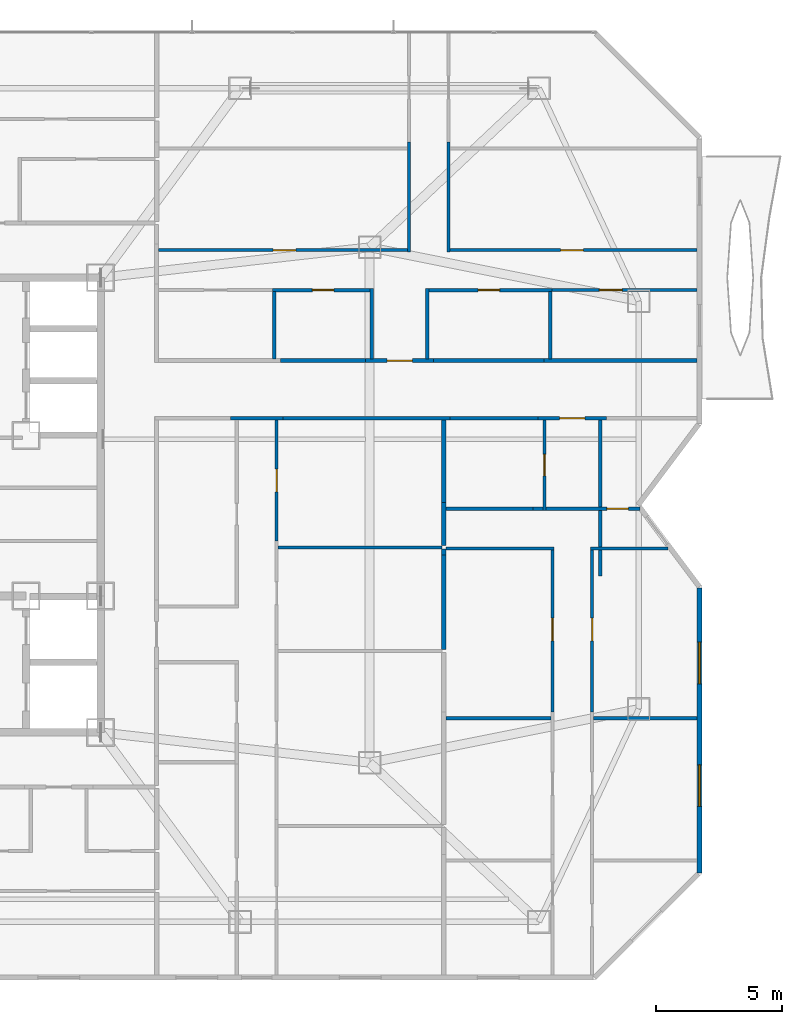
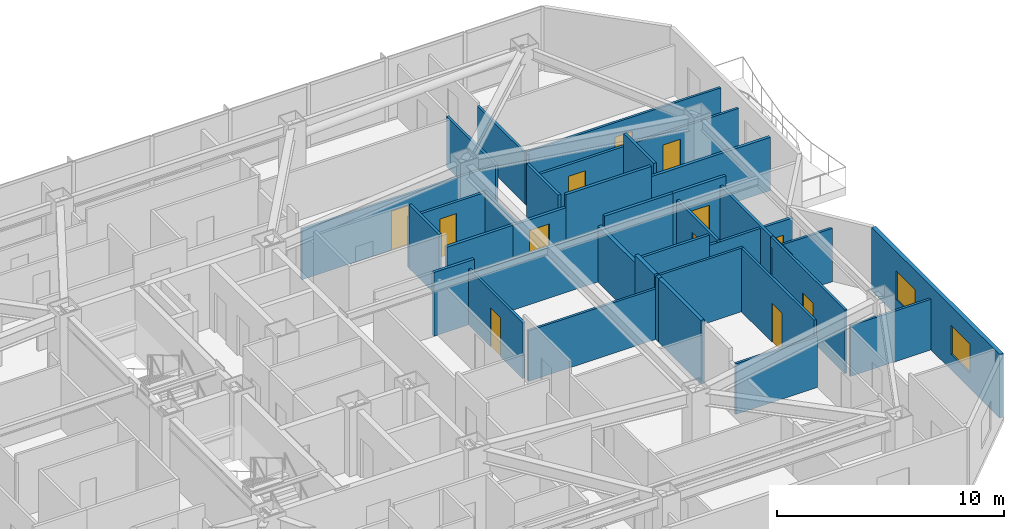
# One storey, part 18 of 21: 36 walls, 12 doors, 2 windows, 14 openings.
"""IFC4 building model written with IfcOpenShell, lengths in metres."""

from ifc_helpers import new_model, si_unit, direction, frame, frame_2d, origin, place, context, subcontext, project, spatial, rectangle, extrude, material, layer, layer_set, type_object, element, fill, save


model = new_model("IFC4")

# Units and contexts
model_context = context("Model", 3, precision=1e-05, world=origin(), true_north=direction((0.0, 1.0)))
body_context = subcontext(model_context, "Body", "Model", "MODEL_VIEW")
ifc_project = project(units=[si_unit("LENGTHUNIT", "METRE"), si_unit("AREAUNIT", "SQUARE_METRE"), si_unit("VOLUMEUNIT", "CUBIC_METRE"), si_unit("PLANEANGLEUNIT", "RADIAN"), si_unit("MASSUNIT", "GRAM", prefix="KILO")], contexts=[model_context])

# Site, building, storey
site_placement = place(None, origin())
site = spatial("IfcSite", under=ifc_project, at=site_placement, CompositionType="ELEMENT")
building_placement = place(site_placement, origin())
building = spatial("IfcBuilding", under=site, at=building_placement, Name="Khamvora Tower", CompositionType="ELEMENT")
storey_placement = place(building_placement, frame((0.0, 0.0, 159.550048828125)))
storey = spatial("IfcBuildingStorey", under=building, at=storey_placement, Name="L40", CompositionType="ELEMENT", Elevation=159.550048828125)

# Walls
ifc_material_1 = material(Name="Fire-Rated Drywall and Steel Stud", Category="steel")
ifc_layer_1 = layer(ifc_material_1, 0.14990234375)
ifc_layer_set_1 = layer_set([ifc_layer_1], Name="Fire-Rated Drywall and Steel Stud")
wall_type_1 = type_object("IfcWallType", Name="WAL-CORR-150", PredefinedType="STANDARD", material=ifc_layer_set_1)
wall_1_placement = place(storey_placement, frame((46.616943359375, 31.43505859375, 0.0), z_axis=(0.0, 0.0, 1.0), x_axis=(-1.0, 0.0, 0.0)))
element("IfcWall", 1, at=wall_1_placement, inside=storey, type_object=wall_type_1, Name="L40 interior partition wall 029", PredefinedType="STANDARD", context=body_context, shape_type="SweptSolid", body=[
    extrude(rectangle(XDim=2.077880859375, YDim=0.14990234375, at=frame_2d((1.0390625, 0.0))), origin(), (0.0, 0.0, 1.0), 3.429931640625),
])
wall_2_placement = place(storey_placement, frame((53.23388671875, 31.43505859375, 0.0), z_axis=(0.0, 0.0, 1.0), x_axis=(-1.0, 0.0, 0.0)))
element("IfcWall", 2, at=wall_2_placement, inside=storey, type_object=wall_type_1, Name="L40 interior partition wall 034", PredefinedType="STANDARD", context=body_context, shape_type="SweptSolid", body=[
    extrude(rectangle(XDim=6.616943359375, YDim=0.14990234375, at=frame_2d((3.30859375, 0.0))), origin(), (0.0, 0.0, 1.0), 2.724853515625),
])

# Wall, opening, door
wall_3_placement = place(storey_placement, frame((59.4189453125, 31.43505859375, 0.0), z_axis=(0.0, 0.0, 1.0), x_axis=(-1.0, 0.0, 0.0)))
wall_3 = element("IfcWall", 3, at=wall_3_placement, inside=storey, type_object=wall_type_1, Name="L40 interior partition wall 035", PredefinedType="STANDARD", context=body_context, shape_type="SweptSolid", body=[
    extrude(rectangle(XDim=2.697998046875, YDim=0.14990234375, at=frame_2d((1.34912109375, 0.0))), origin(), (0.0, 0.0, 1.0), 3.429931640625),
])
opening_1_placement = place(wall_3_placement, frame((0.84912109375, 0.0, 0.0)))
opening_1 = element("IfcOpeningElement", 4, at=opening_1_placement, cuts=wall_3, Name="Opening D-U1", PredefinedType="OPENING", context=body_context, shape_type="SweptSolid", body=[
    extrude(rectangle(XDim=1.0, YDim=2.14990234375, at=frame_2d((0.5, 1.074951171875))), frame((0.0, 0.0849609375, 0.0), z_axis=(0.0, -1.0, 0.0), x_axis=(1.0, 0.0, 0.0)), (0.0, 0.0, 1.0), 0.169921875),
])
ifc_material_2 = material(Name="Powder-Coated Steel and Hardwood Leaf", Category="steel")
door_type_1 = type_object("IfcDoorType", Name="DOR-UNIT-1000", OperationType="NOTDEFINED", PredefinedType="DOOR", material=ifc_material_2)
door_1_placement = place(opening_1_placement, origin())
door_1 = element("IfcDoor", 5, at=door_1_placement, inside=storey, type_object=door_type_1, Name="L40 interior door COR-40EBH", OperationType="SINGLE_SWING_LEFT", OverallHeight=2.14990234375, OverallWidth=1.0, PredefinedType="DOOR", context=body_context, shape_type="SweptSolid", body=[
    extrude(rectangle(XDim=1.0, YDim=2.14990234375, at=frame_2d((0.5, 1.074951171875))), frame((0.0, 0.02490234375, 0.0), z_axis=(0.0, -1.0, 0.0), x_axis=(1.0, 0.0, 0.0)), (0.0, 0.0, 1.0), 0.050048828125),
])
fill(opening_1, door_1)

# Walls
wall_4_placement = place(storey_placement, frame((56.720947265625, 31.43505859375, 0.0), z_axis=(0.0, 0.0, 1.0), x_axis=(-1.0, 0.0, 0.0)))
element("IfcWall", 6, at=wall_4_placement, inside=storey, type_object=wall_type_1, Name="L40 interior partition wall 037", PredefinedType="STANDARD", context=body_context, shape_type="SweptSolid", body=[
    extrude(rectangle(XDim=3.487060546875, YDim=0.14990234375, at=frame_2d((1.74365234375, 0.0))), origin(), (0.0, 0.0, 1.0), 3.429931640625),
])
wall_5_placement = place(storey_placement, frame((56.950927734375, 33.715087890625, 0.0), z_axis=(0.0, 0.0, 1.0), x_axis=(1.0, 0.0, 0.0)))
element("IfcWall", 7, at=wall_5_placement, inside=storey, type_object=wall_type_1, Name="L40 interior partition wall 040", PredefinedType="STANDARD", context=body_context, shape_type="SweptSolid", body=[
    extrude(rectangle(XDim=6.05712890625, YDim=0.14990234375, at=frame_2d((3.028564453125, 0.0))), origin(), (0.0, 0.0, 1.0), 2.8759765625),
])

# Wall, opening, door
wall_6_placement = place(storey_placement, frame((49.885986328125, 33.715087890625, 0.0), z_axis=(0.0, 0.0, 1.0), x_axis=(1.0, 0.0, 0.0)))
wall_6 = element("IfcWall", 8, at=wall_6_placement, inside=storey, type_object=wall_type_1, Name="L40 interior partition wall 042", PredefinedType="STANDARD", context=body_context, shape_type="SweptSolid", body=[
    extrude(rectangle(XDim=2.697998046875, YDim=0.14990234375, at=frame_2d((1.34912109375, 0.0))), origin(), (0.0, 0.0, 1.0), 2.724853515625),
])
opening_2_placement = place(wall_6_placement, frame((0.84912109375, 0.0, 0.0)))
opening_2 = element("IfcOpeningElement", 9, at=opening_2_placement, cuts=wall_6, Name="Opening D-U1", PredefinedType="OPENING", context=body_context, shape_type="SweptSolid", body=[
    extrude(rectangle(XDim=1.0, YDim=2.14990234375, at=frame_2d((0.5, 1.074951171875))), frame((0.0, 0.0849609375, 0.0), z_axis=(0.0, -1.0, 0.0), x_axis=(1.0, 0.0, 0.0)), (0.0, 0.0, 1.0), 0.169921875),
])
door_2_placement = place(opening_2_placement, origin())
door_2 = element("IfcDoor", 10, at=door_2_placement, inside=storey, type_object=door_type_1, Name="L40 interior door COR-40ECH", OperationType="SINGLE_SWING_RIGHT", OverallHeight=2.14990234375, OverallWidth=1.0, PredefinedType="DOOR", context=body_context, shape_type="SweptSolid", body=[
    extrude(rectangle(XDim=1.0, YDim=2.14990234375, at=frame_2d((0.5, 1.074951171875))), frame((0.0, 0.02490234375, 0.0), z_axis=(0.0, -1.0, 0.0), x_axis=(1.0, 0.0, 0.0)), (0.0, 0.0, 1.0), 0.050048828125),
])
fill(opening_2, door_2)

# Walls
wall_7_placement = place(storey_placement, frame((46.51904296875, 33.715087890625, 0.0), z_axis=(0.0, 0.0, 1.0), x_axis=(1.0, 0.0, 0.0)))
element("IfcWall", 11, at=wall_7_placement, inside=storey, type_object=wall_type_1, Name="L40 interior partition wall 043", PredefinedType="STANDARD", context=body_context, shape_type="SweptSolid", body=[
    extrude(rectangle(XDim=3.366943359375, YDim=0.14990234375, at=frame_2d((1.68359375, 0.0))), origin(), (0.0, 0.0, 1.0), 2.724853515625),
])
wall_8_placement = place(storey_placement, frame((52.583984375, 33.715087890625, 0.0), z_axis=(0.0, 0.0, 1.0), x_axis=(1.0, 0.0, 0.0)))
element("IfcWall", 12, at=wall_8_placement, inside=storey, type_object=wall_type_1, Name="L40 interior partition wall 044", PredefinedType="STANDARD", context=body_context, shape_type="SweptSolid", body=[
    extrude(rectangle(XDim=4.366943359375, YDim=0.14990234375, at=frame_2d((2.18359375, 0.0))), origin(), (0.0, 0.0, 1.0), 3.429931640625),
])
ifc_material_3 = material(Name="Acoustic Double-Stud Fire Wall", Category="gypsum")
ifc_layer_2 = layer(ifc_material_3, 0.179931640625)
ifc_layer_set_2 = layer_set([ifc_layer_2], Name="Acoustic Double-Stud Fire Wall")
wall_type_2 = type_object("IfcWallType", Name="WAL-CORR-180", PredefinedType="STANDARD", material=ifc_layer_set_2)
wall_9_placement = place(storey_placement, frame((52.985107421875, 26.261962890625, 0.0), z_axis=(0.0, 0.0, 1.0), x_axis=(0.0, -1.0, 0.0)))
element("IfcWall", 13, at=wall_9_placement, inside=storey, type_object=wall_type_2, Name="L40 interior partition wall 123", PredefinedType="STANDARD", context=body_context, shape_type="SweptSolid", body=[
    extrude(rectangle(XDim=0.236083984375, YDim=0.179931640625, at=frame_2d((0.1181640625, 0.0))), origin(), (0.0, 0.0, 1.0), 3.429931640625),
])
wall_10_placement = place(storey_placement, frame((52.985107421875, 26.02587890625, 0.0), z_axis=(0.0, 0.0, 1.0), x_axis=(0.0, -1.0, 0.0)))
element("IfcWall", 14, at=wall_10_placement, inside=storey, type_object=wall_type_2, Name="L40 interior partition wall 124", PredefinedType="STANDARD", context=body_context, shape_type="SweptSolid", body=[
    extrude(rectangle(XDim=3.73486328125, YDim=0.179931640625, at=frame_2d((1.867431640625, 0.0))), origin(), (0.0, 0.0, 1.0), 3.429931640625),
])
wall_11_placement = place(storey_placement, frame((52.985107421875, 28.10400390625, 0.0), z_axis=(0.0, 0.0, 1.0), x_axis=(0.0, -1.0, 0.0)))
element("IfcWall", 15, at=wall_11_placement, inside=storey, type_object=wall_type_2, Name="L40 interior partition wall 125", PredefinedType="STANDARD", context=body_context, shape_type="SweptSolid", body=[
    extrude(rectangle(XDim=1.7119140625, YDim=0.179931640625, at=frame_2d((0.85595703125, 0.0))), origin(), (0.0, 0.0, 1.0), 3.429931640625),
])
wall_12_placement = place(storey_placement, frame((52.985107421875, 31.367919921875, 0.0), z_axis=(0.0, 0.0, 1.0), x_axis=(0.0, -1.0, 0.0)))
element("IfcWall", 16, at=wall_12_placement, inside=storey, type_object=wall_type_2, Name="L40 interior partition wall 126", PredefinedType="STANDARD", context=body_context, shape_type="SweptSolid", body=[
    extrude(rectangle(XDim=3.263916015625, YDim=0.179931640625, at=frame_2d((1.6318359375, 0.0))), origin(), (0.0, 0.0, 1.0), 3.012939453125),
])

# Wall, openings, windows
ifc_material_4 = material(Name="Precast concrete C40/50", Category="concrete")
ifc_layer_3 = layer(ifc_material_4, 0.199951171875)
ifc_layer_set_3 = layer_set([ifc_layer_3], Name="Precast concrete C40/50")
wall_type_3 = type_object("IfcWallType", Name="WAL-EXT-200", PredefinedType="STANDARD", material=ifc_layer_set_3)
wall_13_placement = place(storey_placement, frame((63.10009765625, 24.717041015625, 0.0), z_axis=(0.0, 0.0, 1.0), x_axis=(0.0, -1.0, 0.0)))
wall_13 = element("IfcWall", 17, at=wall_13_placement, inside=storey, type_object=wall_type_3, Name="L40 exterior facade wall 12.1", PredefinedType="STANDARD", context=body_context, shape_type="SweptSolid", body=[
    extrude(rectangle(XDim=11.276123046875, YDim=0.199951171875, at=frame_2d((5.63818359375, 0.0))), origin(), (0.0, 0.0, 1.0), 3.429931640625),
])
opening_3_placement = place(wall_13_placement, frame((6.9990234375, 0.0, 0.85009765625)))
opening_3 = element("IfcOpeningElement", 18, at=opening_3_placement, cuts=wall_13, Name="Opening WN-06", PredefinedType="OPENING", context=body_context, shape_type="SweptSolid", body=[
    extrude(rectangle(XDim=1.64990234375, YDim=1.550048828125, at=frame_2d((0.824951171875, 0.77490234375))), frame((0.0, 0.10986328125, 0.0), z_axis=(0.0, -1.0, 0.0), x_axis=(1.0, 0.0, 0.0)), (0.0, 0.0, 1.0), 0.219970703125),
])
opening_4_placement = place(wall_13_placement, frame((2.14501953125, 0.0, 0.85009765625)))
opening_4 = element("IfcOpeningElement", 19, at=opening_4_placement, cuts=wall_13, Name="Opening WN-06", PredefinedType="OPENING", context=body_context, shape_type="SweptSolid", body=[
    extrude(rectangle(XDim=1.64990234375, YDim=1.550048828125, at=frame_2d((0.824951171875, 0.77490234375))), frame((0.0, 0.10986328125, 0.0), z_axis=(0.0, -1.0, 0.0), x_axis=(1.0, 0.0, 0.0)), (0.0, 0.0, 1.0), 0.219970703125),
])
ifc_material_5 = material(Name="Low-E Laminated Double Glazing", Category="glass")
window_type = type_object("IfcWindowType", Name="WIN-VIS-1650x1550", PartitioningType="SINGLE_PANEL", PredefinedType="WINDOW", material=ifc_material_5)
window_1_placement = place(opening_3_placement, origin())
window_1 = element("IfcWindow", 20, at=window_1_placement, inside=storey, type_object=window_type, Name="L40 vision window 12.1.01", OverallHeight=1.550048828125, OverallWidth=1.64990234375, PartitioningType="SINGLE_PANEL", PredefinedType="WINDOW", context=body_context, shape_type="SweptSolid", body=[
    extrude(rectangle(XDim=1.64990234375, YDim=1.550048828125, at=frame_2d((0.824951171875, 0.77490234375))), frame((0.0, 0.030029296875, 0.0), z_axis=(0.0, -1.0, 0.0), x_axis=(1.0, 0.0, 0.0)), (0.0, 0.0, 1.0), 0.06005859375),
])
fill(opening_3, window_1)
window_2_placement = place(opening_4_placement, origin())
window_2 = element("IfcWindow", 21, at=window_2_placement, inside=storey, type_object=window_type, Name="L40 vision window 12.1.02", OverallHeight=1.550048828125, OverallWidth=1.64990234375, PartitioningType="SINGLE_PANEL", PredefinedType="WINDOW", context=body_context, shape_type="SweptSolid", body=[
    extrude(rectangle(XDim=1.64990234375, YDim=1.550048828125, at=frame_2d((0.824951171875, 0.77490234375))), frame((0.0, 0.030029296875, 0.0), z_axis=(0.0, -1.0, 0.0), x_axis=(1.0, 0.0, 0.0)), (0.0, 0.0, 1.0), 0.06005859375),
])
fill(opening_4, window_2)

# Wall, opening, door
ifc_material_6 = material(Name="Gypsum Plasterboard Partition", Category="gypsum")
ifc_layer_4 = layer(ifc_material_6, 0.1201171875)
ifc_layer_set_4 = layer_set([ifc_layer_4], Name="Gypsum Plasterboard Partition")
wall_type_4 = type_object("IfcWallType", Name="WAL-PART-120", PredefinedType="PARTITIONING", material=ifc_layer_set_4)
wall_14_placement = place(storey_placement, frame((46.367919921875, 31.367919921875, 0.0), z_axis=(0.0, 0.0, 1.0), x_axis=(0.0, -1.0, 0.0)))
wall_14 = element("IfcWall", 22, at=wall_14_placement, inside=storey, type_object=wall_type_4, Name="L40 interior partition wall 115", PredefinedType="PARTITIONING", context=body_context, shape_type="SweptSolid", body=[
    extrude(rectangle(XDim=4.7919921875, YDim=0.1201171875, at=frame_2d((2.39599609375, 0.0))), origin(), (0.0, 0.0, 1.0), 3.012939453125),
])
opening_5_placement = place(wall_14_placement, frame((1.946044921875, 0.0, 0.0)))
opening_5 = element("IfcOpeningElement", 23, at=opening_5_placement, cuts=wall_14, Name="Opening D-RM1", PredefinedType="OPENING", context=body_context, shape_type="SweptSolid", body=[
    extrude(rectangle(XDim=0.89990234375, YDim=2.10009765625, at=frame_2d((0.449951171875, 1.050048828125))), frame((0.0, 0.070068359375, 0.0), z_axis=(0.0, -1.0, 0.0), x_axis=(1.0, 0.0, 0.0)), (0.0, 0.0, 1.0), 0.14013671875),
])
door_type_2 = type_object("IfcDoorType", Name="DOR-ROOM-900", OperationType="NOTDEFINED", PredefinedType="DOOR", material=ifc_material_2)
door_3_placement = place(opening_5_placement, origin())
door_3 = element("IfcDoor", 24, at=door_3_placement, inside=storey, type_object=door_type_2, Name="L40 interior door 40EAH-40EAR4", OperationType="SINGLE_SWING_RIGHT", OverallHeight=2.10009765625, OverallWidth=0.89990234375, PredefinedType="DOOR", context=body_context, shape_type="SweptSolid", body=[
    extrude(rectangle(XDim=0.89990234375, YDim=2.10009765625, at=frame_2d((0.449951171875, 1.050048828125))), frame((0.0, 0.02490234375, 0.0), z_axis=(0.0, -1.0, 0.0), x_axis=(1.0, 0.0, 0.0)), (0.0, 0.0, 1.0), 0.050048828125),
])
fill(opening_5, door_3)

# Wall
wall_15_placement = place(storey_placement, frame((46.422119140625, 26.326904296875, 0.0), z_axis=(0.0, 0.0, 1.0), x_axis=(1.0, 0.0, 0.0)))
element("IfcWall", 25, at=wall_15_placement, inside=storey, type_object=wall_type_4, Name="L40 interior partition wall 122", PredefinedType="PARTITIONING", context=body_context, shape_type="SweptSolid", body=[
    extrude(rectangle(XDim=6.497802734375, YDim=0.1201171875, at=frame_2d((3.2490234375, 0.0))), origin(), (0.0, 0.0, 1.0), 2.724853515625),
])

# Wall, opening, door
wall_16_placement = place(storey_placement, frame((57.284912109375, 19.81005859375, 0.0), z_axis=(0.0, 0.0, 1.0), x_axis=(0.0, 1.0, 0.0)))
wall_16 = element("IfcWall", 26, at=wall_16_placement, inside=storey, type_object=wall_type_4, Name="L40 interior partition wall 133", PredefinedType="PARTITIONING", context=body_context, shape_type="SweptSolid", body=[
    extrude(rectangle(XDim=6.530029296875, YDim=0.1201171875, at=frame_2d((3.26513671875, 0.0))), origin(), (0.0, 0.0, 1.0), 3.429931640625),
])
opening_6_placement = place(wall_16_placement, frame((2.81494140625, 0.0, 0.0)))
opening_6 = element("IfcOpeningElement", 27, at=opening_6_placement, cuts=wall_16, Name="Opening D-RM1", PredefinedType="OPENING", context=body_context, shape_type="SweptSolid", body=[
    extrude(rectangle(XDim=0.89990234375, YDim=2.10009765625, at=frame_2d((0.449951171875, 1.050048828125))), frame((0.0, 0.070068359375, 0.0), z_axis=(0.0, -1.0, 0.0), x_axis=(1.0, 0.0, 0.0)), (0.0, 0.0, 1.0), 0.14013671875),
])
door_4_placement = place(opening_6_placement, origin())
door_4 = element("IfcDoor", 28, at=door_4_placement, inside=storey, type_object=door_type_2, Name="L40 interior door 40EBH-40EBR3", OperationType="SINGLE_SWING_LEFT", OverallHeight=2.10009765625, OverallWidth=0.89990234375, PredefinedType="DOOR", context=body_context, shape_type="SweptSolid", body=[
    extrude(rectangle(XDim=0.89990234375, YDim=2.10009765625, at=frame_2d((0.449951171875, 1.050048828125))), frame((0.0, 0.02490234375, 0.0), z_axis=(0.0, -1.0, 0.0), x_axis=(1.0, 0.0, 0.0)), (0.0, 0.0, 1.0), 0.050048828125),
])
fill(opening_6, door_4)

# Wall
wall_17_placement = place(storey_placement, frame((57.35009765625, 26.27490234375, 0.0), z_axis=(0.0, 0.0, 1.0), x_axis=(-1.0, 0.0, 0.0)))
element("IfcWall", 29, at=wall_17_placement, inside=storey, type_object=wall_type_4, Name="L40 interior partition wall 134", PredefinedType="PARTITIONING", context=body_context, shape_type="SweptSolid", body=[
    extrude(rectangle(XDim=4.2841796875, YDim=0.1201171875, at=frame_2d((2.14208984375, 0.0))), origin(), (0.0, 0.0, 1.0), 3.429931640625),
])

# Wall, opening, door
wall_18_placement = place(storey_placement, frame((58.85498046875, 26.340087890625, 0.0), z_axis=(0.0, 0.0, 1.0), x_axis=(0.0, -1.0, 0.0)))
wall_18 = element("IfcWall", 30, at=wall_18_placement, inside=storey, type_object=wall_type_4, Name="L40 interior partition wall 137", PredefinedType="PARTITIONING", context=body_context, shape_type="SweptSolid", body=[
    extrude(rectangle(XDim=6.530029296875, YDim=0.1201171875, at=frame_2d((3.26513671875, 0.0))), origin(), (0.0, 0.0, 1.0), 3.429931640625),
])
opening_7_placement = place(wall_18_placement, frame((2.81494140625, 0.0, 0.0)))
opening_7 = element("IfcOpeningElement", 31, at=opening_7_placement, cuts=wall_18, Name="Opening D-RM1", PredefinedType="OPENING", context=body_context, shape_type="SweptSolid", body=[
    extrude(rectangle(XDim=0.89990234375, YDim=2.10009765625, at=frame_2d((0.449951171875, 1.050048828125))), frame((0.0, 0.070068359375, 0.0), z_axis=(0.0, -1.0, 0.0), x_axis=(1.0, 0.0, 0.0)), (0.0, 0.0, 1.0), 0.14013671875),
])
door_5_placement = place(opening_7_placement, origin())
door_5 = element("IfcDoor", 32, at=door_5_placement, inside=storey, type_object=door_type_2, Name="L40 interior door 40EBH-40EBR6", OperationType="SINGLE_SWING_RIGHT", OverallHeight=2.10009765625, OverallWidth=0.89990234375, PredefinedType="DOOR", context=body_context, shape_type="SweptSolid", body=[
    extrude(rectangle(XDim=0.89990234375, YDim=2.10009765625, at=frame_2d((0.449951171875, 1.050048828125))), frame((0.0, 0.02490234375, 0.0), z_axis=(0.0, -1.0, 0.0), x_axis=(1.0, 0.0, 0.0)), (0.0, 0.0, 1.0), 0.050048828125),
])
fill(opening_7, door_5)

# Walls
wall_19_placement = place(storey_placement, frame((61.864990234375, 26.27490234375, 0.0), z_axis=(0.0, 0.0, 1.0), x_axis=(-1.0, 0.0, 0.0)))
element("IfcWall", 33, at=wall_19_placement, inside=storey, type_object=wall_type_4, Name="L40 interior partition wall 138", PredefinedType="PARTITIONING", context=body_context, shape_type="SweptSolid", body=[
    extrude(rectangle(XDim=3.074951171875, YDim=0.1201171875, at=frame_2d((1.53759765625, 0.0))), origin(), (0.0, 0.0, 1.0), 2.8759765625),
])
wall_20_placement = place(storey_placement, frame((53.06689453125, 19.56103515625, 0.0), z_axis=(0.0, 0.0, 1.0), x_axis=(1.0, 0.0, 0.0)))
element("IfcWall", 34, at=wall_20_placement, inside=storey, type_object=wall_type_4, Name="L40 interior partition wall 140", PredefinedType="PARTITIONING", context=body_context, shape_type="SweptSolid", body=[
    extrude(rectangle(XDim=4.1640625, YDim=0.1201171875, at=frame_2d((2.08203125, 0.0))), origin(), (0.0, 0.0, 1.0), 2.724853515625),
])
wall_21_placement = place(storey_placement, frame((58.908935546875, 19.56103515625, 0.0), z_axis=(0.0, 0.0, 1.0), x_axis=(1.0, 0.0, 0.0)))
element("IfcWall", 35, at=wall_21_placement, inside=storey, type_object=wall_type_4, Name="L40 interior partition wall 142", PredefinedType="PARTITIONING", context=body_context, shape_type="SweptSolid", body=[
    extrude(rectangle(XDim=4.09912109375, YDim=0.1201171875, at=frame_2d((2.049560546875, 0.0))), origin(), (0.0, 0.0, 1.0), 2.724853515625),
])

# Wall, opening, door
wall_22_placement = place(storey_placement, frame((57.264892578125, 36.509033203125, 0.0), z_axis=(0.0, 0.0, 1.0), x_axis=(1.0, 0.0, 0.0)))
wall_22 = element("IfcWall", 36, at=wall_22_placement, inside=storey, type_object=wall_type_4, Name="L40 interior partition wall 145", PredefinedType="PARTITIONING", context=body_context, shape_type="SweptSolid", body=[
    extrude(rectangle(XDim=5.7431640625, YDim=0.1201171875, at=frame_2d((2.87158203125, 0.0))), origin(), (0.0, 0.0, 1.0), 2.724853515625),
])
opening_8_placement = place(wall_22_placement, frame((1.8779296875, 0.0, 0.0)))
opening_8 = element("IfcOpeningElement", 37, at=opening_8_placement, cuts=wall_22, Name="Opening D-RM1", PredefinedType="OPENING", context=body_context, shape_type="SweptSolid", body=[
    extrude(rectangle(XDim=0.89990234375, YDim=2.10009765625, at=frame_2d((0.449951171875, 1.050048828125))), frame((0.0, 0.070068359375, 0.0), z_axis=(0.0, -1.0, 0.0), x_axis=(1.0, 0.0, 0.0)), (0.0, 0.0, 1.0), 0.14013671875),
])
door_6_placement = place(opening_8_placement, origin())
door_6 = element("IfcDoor", 38, at=door_6_placement, inside=storey, type_object=door_type_2, Name="L40 interior door 40ECW2-40ECH", OperationType="SINGLE_SWING_LEFT", OverallHeight=2.10009765625, OverallWidth=0.89990234375, PredefinedType="DOOR", context=body_context, shape_type="SweptSolid", body=[
    extrude(rectangle(XDim=0.89990234375, YDim=2.10009765625, at=frame_2d((0.449951171875, 1.050048828125))), frame((0.0, 0.02490234375, 0.0), z_axis=(0.0, -1.0, 0.0), x_axis=(1.0, 0.0, 0.0)), (0.0, 0.0, 1.0), 0.050048828125),
])
fill(opening_8, door_6)

wall_23_placement = place(storey_placement, frame((41.681884765625, 38.089111328125, 0.0), z_axis=(0.0, 0.0, 1.0), x_axis=(1.0, 0.0, 0.0)))
wall_23 = element("IfcWall", 39, at=wall_23_placement, inside=storey, type_object=wall_type_4, Name="L40 interior partition wall 151", PredefinedType="PARTITIONING", context=body_context, shape_type="SweptSolid", body=[
    extrude(rectangle(XDim=9.983154296875, YDim=0.1201171875, at=frame_2d((4.99169921875, 0.0))), origin(), (0.0, 0.0, 1.0), 2.724853515625),
])
opening_9_placement = place(wall_23_placement, frame((4.5419921875, 0.0, 0.0)))
opening_9 = element("IfcOpeningElement", 40, at=opening_9_placement, cuts=wall_23, Name="Opening D-RM1", PredefinedType="OPENING", context=body_context, shape_type="SweptSolid", body=[
    extrude(rectangle(XDim=0.89990234375, YDim=2.10009765625, at=frame_2d((0.449951171875, 1.050048828125))), frame((0.0, 0.070068359375, 0.0), z_axis=(0.0, -1.0, 0.0), x_axis=(1.0, 0.0, 0.0)), (0.0, 0.0, 1.0), 0.14013671875),
])
door_7_placement = place(opening_9_placement, origin())
door_7 = element("IfcDoor", 41, at=door_7_placement, inside=storey, type_object=door_type_2, Name="L40 interior door 40ECH-40ECR1", OperationType="SINGLE_SWING_RIGHT", OverallHeight=2.10009765625, OverallWidth=0.89990234375, PredefinedType="DOOR", context=body_context, shape_type="SweptSolid", body=[
    extrude(rectangle(XDim=0.89990234375, YDim=2.10009765625, at=frame_2d((0.449951171875, 1.050048828125))), frame((0.0, 0.02490234375, 0.0), z_axis=(0.0, -1.0, 0.0), x_axis=(1.0, 0.0, 0.0)), (0.0, 0.0, 1.0), 0.050048828125),
])
fill(opening_9, door_7)

# Walls
for number, where, z_axis, x_axis, name in (
    (42, (51.60009765625, 38.02392578125, 0.0), (0.0, 0.0, 1.0), (0.0, 1.0, 0.0), "L40 interior partition wall 152"),
    (43, (53.169921875, 42.367919921875, 0.0), (0.0, 0.0, 1.0), (0.0, -1.0, 0.0), "L40 interior partition wall 154"),
):
    element("IfcWall", number, at=place(storey_placement, frame(where, z_axis=z_axis, x_axis=x_axis)), inside=storey, type_object=wall_type_4, Name=name, PredefinedType="PARTITIONING", context=body_context, shape_type="SweptSolid", body=[
        extrude(rectangle(XDim=4.343994140625, YDim=0.1201171875, at=frame_2d((2.171875, 0.0))), origin(), (0.0, 0.0, 1.0), 2.724853515625),
    ])

# Wall, opening, door
wall_24_placement = place(storey_placement, frame((53.10498046875, 38.089111328125, 0.0), z_axis=(0.0, 0.0, 1.0), x_axis=(1.0, 0.0, 0.0)))
wall_24 = element("IfcWall", 44, at=wall_24_placement, inside=storey, type_object=wall_type_4, Name="L40 interior partition wall 155", PredefinedType="PARTITIONING", context=body_context, shape_type="SweptSolid", body=[
    extrude(rectangle(XDim=9.903076171875, YDim=0.1201171875, at=frame_2d((4.95166015625, 0.0))), origin(), (0.0, 0.0, 1.0), 2.8759765625),
])
opening_10_placement = place(wall_24_placement, frame((4.501953125, 0.0, 0.0)))
opening_10 = element("IfcOpeningElement", 45, at=opening_10_placement, cuts=wall_24, Name="Opening D-RM1", PredefinedType="OPENING", context=body_context, shape_type="SweptSolid", body=[
    extrude(rectangle(XDim=0.89990234375, YDim=2.10009765625, at=frame_2d((0.449951171875, 1.050048828125))), frame((0.0, 0.070068359375, 0.0), z_axis=(0.0, -1.0, 0.0), x_axis=(1.0, 0.0, 0.0)), (0.0, 0.0, 1.0), 0.14013671875),
])
door_8_placement = place(opening_10_placement, origin())
door_8 = element("IfcDoor", 46, at=door_8_placement, inside=storey, type_object=door_type_2, Name="L40 interior door 40ECH-40ECR3", OperationType="SINGLE_SWING_RIGHT", OverallHeight=2.10009765625, OverallWidth=0.89990234375, PredefinedType="DOOR", context=body_context, shape_type="SweptSolid", body=[
    extrude(rectangle(XDim=0.89990234375, YDim=2.10009765625, at=frame_2d((0.449951171875, 1.050048828125))), frame((0.0, 0.02490234375, 0.0), z_axis=(0.0, -1.0, 0.0), x_axis=(1.0, 0.0, 0.0)), (0.0, 0.0, 1.0), 0.050048828125),
])
fill(opening_10, door_8)

# Wall
ifc_material_7 = material(Name="Moisture-Resistant Plasterboard Partition", Category="gypsum")
ifc_layer_5 = layer(ifc_material_7, 0.135009765625)
ifc_layer_set_5 = layer_set([ifc_layer_5], Name="Moisture-Resistant Plasterboard Partition")
wall_type_5 = type_object("IfcWallType", Name="WAL-WET-135", PredefinedType="PARTITIONING", material=ifc_layer_set_5)
wall_25_placement = place(storey_placement, frame((59.169921875, 31.367919921875, 0.0), z_axis=(0.0, 0.0, 1.0), x_axis=(0.0, -1.0, 0.0)))
element("IfcWall", 47, at=wall_25_placement, inside=storey, type_object=wall_type_5, Name="L40 interior partition wall 127", PredefinedType="PARTITIONING", context=body_context, shape_type="SweptSolid", body=[
    extrude(rectangle(XDim=6.177978515625, YDim=0.135009765625, at=frame_2d((3.0888671875, 0.0))), origin(), (0.0, 0.0, 1.0), 3.012939453125),
])

# Wall, opening, door
wall_26_placement = place(storey_placement, frame((56.5048828125, 27.85498046875, 0.0), z_axis=(0.0, 0.0, 1.0), x_axis=(1.0, 0.0, 0.0)))
wall_26 = element("IfcWall", 48, at=wall_26_placement, inside=storey, type_object=wall_type_5, Name="L40 interior partition wall 128", PredefinedType="PARTITIONING", context=body_context, shape_type="SweptSolid", body=[
    extrude(rectangle(XDim=4.252197265625, YDim=0.135009765625, at=frame_2d((2.1259765625, 0.0))), origin(), (0.0, 0.0, 1.0), 2.8759765625),
])
opening_11_placement = place(wall_26_placement, frame((2.929931640625, 0.0, 0.0)))
opening_11 = element("IfcOpeningElement", 49, at=opening_11_placement, cuts=wall_26, Name="Opening D-WC1", PredefinedType="OPENING", context=body_context, shape_type="SweptSolid", body=[
    extrude(rectangle(XDim=0.85009765625, YDim=2.10009765625, at=frame_2d((0.425048828125, 1.050048828125))), frame((0.0, 0.077392578125, 0.0), z_axis=(0.0, -1.0, 0.0), x_axis=(1.0, 0.0, 0.0)), (0.0, 0.0, 1.0), 0.155029296875),
])
door_type_3 = type_object("IfcDoorType", Name="DOR-WET-850", OperationType="NOTDEFINED", PredefinedType="DOOR", material=ifc_material_2)
door_9_placement = place(opening_11_placement, origin())
door_9 = element("IfcDoor", 50, at=door_9_placement, inside=storey, type_object=door_type_3, Name="L40 interior door 40EBH-40EBB", OperationType="SINGLE_SWING_LEFT", OverallHeight=2.10009765625, OverallWidth=0.85009765625, PredefinedType="DOOR", context=body_context, shape_type="SweptSolid", body=[
    extrude(rectangle(XDim=0.85009765625, YDim=2.10009765625, at=frame_2d((0.425048828125, 1.050048828125))), frame((0.0, 0.02490234375, 0.0), z_axis=(0.0, -1.0, 0.0), x_axis=(1.0, 0.0, 0.0)), (0.0, 0.0, 1.0), 0.050048828125),
])
fill(opening_11, door_9)

# Wall
wall_27_placement = place(storey_placement, frame((53.06689453125, 27.85498046875, 0.0), z_axis=(0.0, 0.0, 1.0), x_axis=(1.0, 0.0, 0.0)))
element("IfcWall", 51, at=wall_27_placement, inside=storey, type_object=wall_type_5, Name="L40 interior partition wall 129", PredefinedType="PARTITIONING", context=body_context, shape_type="SweptSolid", body=[
    extrude(rectangle(XDim=3.43798828125, YDim=0.135009765625, at=frame_2d((1.718994140625, 0.0))), origin(), (0.0, 0.0, 1.0), 3.429931640625),
])

# Wall, opening, door
wall_28_placement = place(storey_placement, frame((56.969970703125, 27.7900390625, 0.0), z_axis=(0.0, 0.0, 1.0), x_axis=(0.0, 1.0, 0.0)))
wall_28 = element("IfcWall", 52, at=wall_28_placement, inside=storey, type_object=wall_type_5, Name="L40 interior partition wall 130", PredefinedType="PARTITIONING", context=body_context, shape_type="SweptSolid", body=[
    extrude(rectangle(XDim=3.577880859375, YDim=0.135009765625, at=frame_2d((1.7890625, 0.0))), origin(), (0.0, 0.0, 1.0), 3.012939453125),
])
opening_12_placement = place(wall_28_placement, frame((1.364013671875, 0.0, 0.0)))
opening_12 = element("IfcOpeningElement", 53, at=opening_12_placement, cuts=wall_28, Name="Opening D-RM2", PredefinedType="OPENING", context=body_context, shape_type="SweptSolid", body=[
    extrude(rectangle(XDim=0.85009765625, YDim=2.10009765625, at=frame_2d((0.425048828125, 1.050048828125))), frame((0.0, 0.077392578125, 0.0), z_axis=(0.0, -1.0, 0.0), x_axis=(1.0, 0.0, 0.0)), (0.0, 0.0, 1.0), 0.155029296875),
])
door_type_4 = type_object("IfcDoorType", Name="DOR-ROOM-850", OperationType="NOTDEFINED", PredefinedType="DOOR", material=ifc_material_2)
door_10_placement = place(opening_12_placement, origin())
door_10 = element("IfcDoor", 54, at=door_10_placement, inside=storey, type_object=door_type_4, Name="L40 interior door 40EBH-40EBK", OperationType="SINGLE_SWING_RIGHT", OverallHeight=2.10009765625, OverallWidth=0.85009765625, PredefinedType="DOOR", context=body_context, shape_type="SweptSolid", body=[
    extrude(rectangle(XDim=0.85009765625, YDim=2.10009765625, at=frame_2d((0.425048828125, 1.050048828125))), frame((0.0, 0.02490234375, 0.0), z_axis=(0.0, -1.0, 0.0), x_axis=(1.0, 0.0, 0.0)), (0.0, 0.0, 1.0), 0.050048828125),
])
fill(opening_12, door_10)

# Walls
for number, where, z_axis, x_axis, name in (
    (55, (46.27001953125, 36.444091796875, 0.0), (0.0, 0.0, 1.0), (0.0, -1.0, 0.0), "L40 interior partition wall 144"),
    (56, (57.199951171875, 33.781982421875, 0.0), (0.0, 0.0, 1.0), (0.0, 1.0, 0.0), "L40 interior partition wall 146"),
):
    element("IfcWall", number, at=place(storey_placement, frame(where, z_axis=z_axis, x_axis=x_axis)), inside=storey, type_object=wall_type_5, Name=name, PredefinedType="PARTITIONING", context=body_context, shape_type="SweptSolid", body=[
        extrude(rectangle(XDim=2.662109375, YDim=0.135009765625, at=frame_2d((1.3310546875, 0.0))), origin(), (0.0, 0.0, 1.0), 3.429931640625),
    ])
wall_29_placement = place(storey_placement, frame((50.135009765625, 33.781982421875, 0.0), z_axis=(0.0, 0.0, 1.0), x_axis=(0.0, 1.0, 0.0)))
element("IfcWall", 57, at=wall_29_placement, inside=storey, type_object=wall_type_5, Name="L40 interior partition wall 147", PredefinedType="PARTITIONING", context=body_context, shape_type="SweptSolid", body=[
    extrude(rectangle(XDim=2.7919921875, YDim=0.135009765625, at=frame_2d((1.39599609375, 0.0))), origin(), (0.0, 0.0, 1.0), 2.724853515625),
])

# Wall, opening, door
wall_30_placement = place(storey_placement, frame((50.199951171875, 36.509033203125, 0.0), z_axis=(0.0, 0.0, 1.0), x_axis=(-1.0, 0.0, 0.0)))
wall_30 = element("IfcWall", 58, at=wall_30_placement, inside=storey, type_object=wall_type_5, Name="L40 interior partition wall 148", PredefinedType="PARTITIONING", context=body_context, shape_type="SweptSolid", body=[
    extrude(rectangle(XDim=3.994873046875, YDim=0.135009765625, at=frame_2d((1.99755859375, 0.0))), origin(), (0.0, 0.0, 1.0), 2.724853515625),
])
opening_13_placement = place(wall_30_placement, frame((1.572998046875, 0.0, 0.0)))
opening_13 = element("IfcOpeningElement", 59, at=opening_13_placement, cuts=wall_30, Name="Opening D-WC1", PredefinedType="OPENING", context=body_context, shape_type="SweptSolid", body=[
    extrude(rectangle(XDim=0.85009765625, YDim=2.10009765625, at=frame_2d((0.425048828125, 1.050048828125))), frame((0.0, 0.077392578125, 0.0), z_axis=(0.0, -1.0, 0.0), x_axis=(1.0, 0.0, 0.0)), (0.0, 0.0, 1.0), 0.155029296875),
])
door_11_placement = place(opening_13_placement, origin())
door_11 = element("IfcDoor", 60, at=door_11_placement, inside=storey, type_object=door_type_3, Name="L40 interior door 40ECH-40ECB", OperationType="SINGLE_SWING_RIGHT", OverallHeight=2.10009765625, OverallWidth=0.85009765625, PredefinedType="DOOR", context=body_context, shape_type="SweptSolid", body=[
    extrude(rectangle(XDim=0.85009765625, YDim=2.10009765625, at=frame_2d((0.425048828125, 1.050048828125))), frame((0.0, 0.02490234375, 0.0), z_axis=(0.0, -1.0, 0.0), x_axis=(1.0, 0.0, 0.0)), (0.0, 0.0, 1.0), 0.050048828125),
])
fill(opening_13, door_11)

wall_31_placement = place(storey_placement, frame((57.264892578125, 36.509033203125, 0.0), z_axis=(0.0, 0.0, 1.0), x_axis=(-1.0, 0.0, 0.0)))
wall_31 = element("IfcWall", 61, at=wall_31_placement, inside=storey, type_object=wall_type_5, Name="L40 interior partition wall 149", PredefinedType="PARTITIONING", context=body_context, shape_type="SweptSolid", body=[
    extrude(rectangle(XDim=4.994873046875, YDim=0.135009765625, at=frame_2d((2.49755859375, 0.0))), origin(), (0.0, 0.0, 1.0), 2.724853515625),
])
opening_14_placement = place(wall_31_placement, frame((2.072998046875, 0.0, 0.0)))
opening_14 = element("IfcOpeningElement", 62, at=opening_14_placement, cuts=wall_31, Name="Opening D-RM2", PredefinedType="OPENING", context=body_context, shape_type="SweptSolid", body=[
    extrude(rectangle(XDim=0.85009765625, YDim=2.10009765625, at=frame_2d((0.425048828125, 1.050048828125))), frame((0.0, 0.077392578125, 0.0), z_axis=(0.0, -1.0, 0.0), x_axis=(1.0, 0.0, 0.0)), (0.0, 0.0, 1.0), 0.155029296875),
])
door_12_placement = place(opening_14_placement, origin())
door_12 = element("IfcDoor", 63, at=door_12_placement, inside=storey, type_object=door_type_4, Name="L40 interior door 40ECH-40ECK", OperationType="SINGLE_SWING_LEFT", OverallHeight=2.10009765625, OverallWidth=0.85009765625, PredefinedType="DOOR", context=body_context, shape_type="SweptSolid", body=[
    extrude(rectangle(XDim=0.85009765625, YDim=2.10009765625, at=frame_2d((0.425048828125, 1.050048828125))), frame((0.0, 0.02490234375, 0.0), z_axis=(0.0, -1.0, 0.0), x_axis=(1.0, 0.0, 0.0)), (0.0, 0.0, 1.0), 0.050048828125),
])
fill(opening_14, door_12)

# Wall
wall_32_placement = place(storey_placement, frame((52.3349609375, 36.573974609375, 0.0), z_axis=(0.0, 0.0, 1.0), x_axis=(0.0, -1.0, 0.0)))
element("IfcWall", 64, at=wall_32_placement, inside=storey, type_object=wall_type_5, Name="L40 interior partition wall 150", PredefinedType="PARTITIONING", context=body_context, shape_type="SweptSolid", body=[
    extrude(rectangle(XDim=2.7919921875, YDim=0.135009765625, at=frame_2d((1.39599609375, 0.0))), origin(), (0.0, 0.0, 1.0), 3.429931640625),
])

save(model, "model.ifc")
